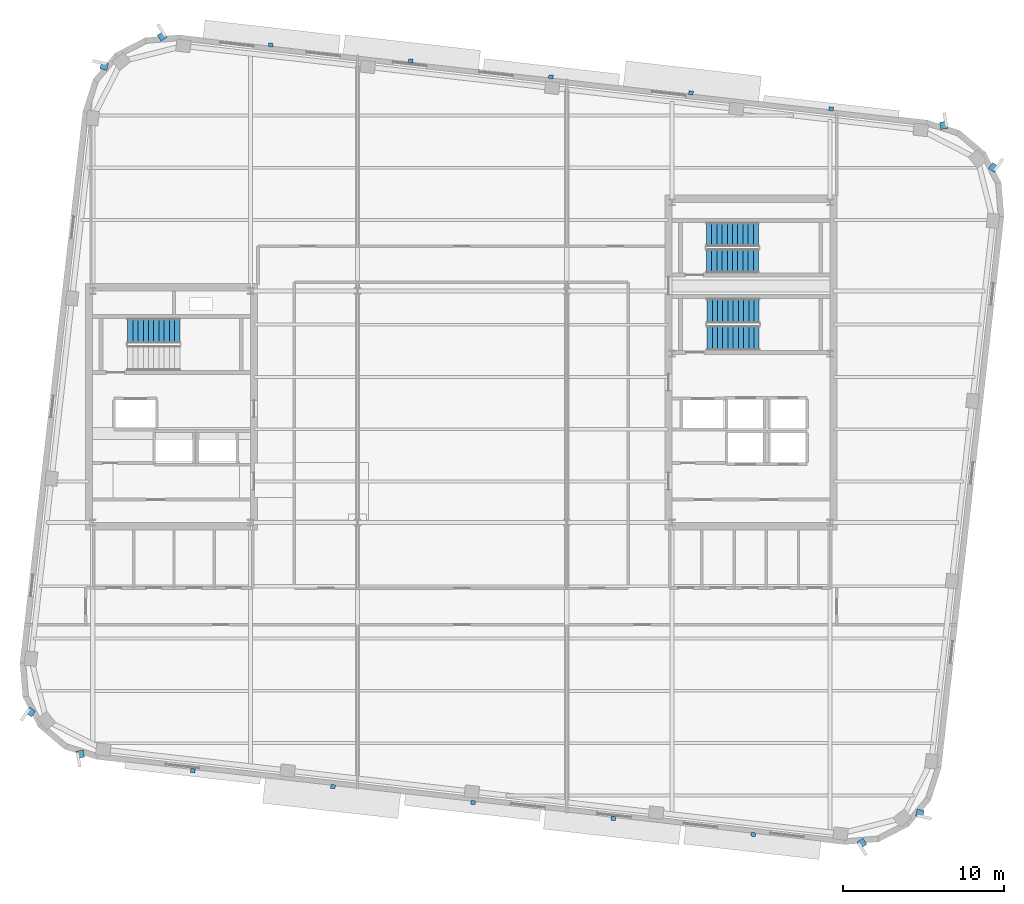
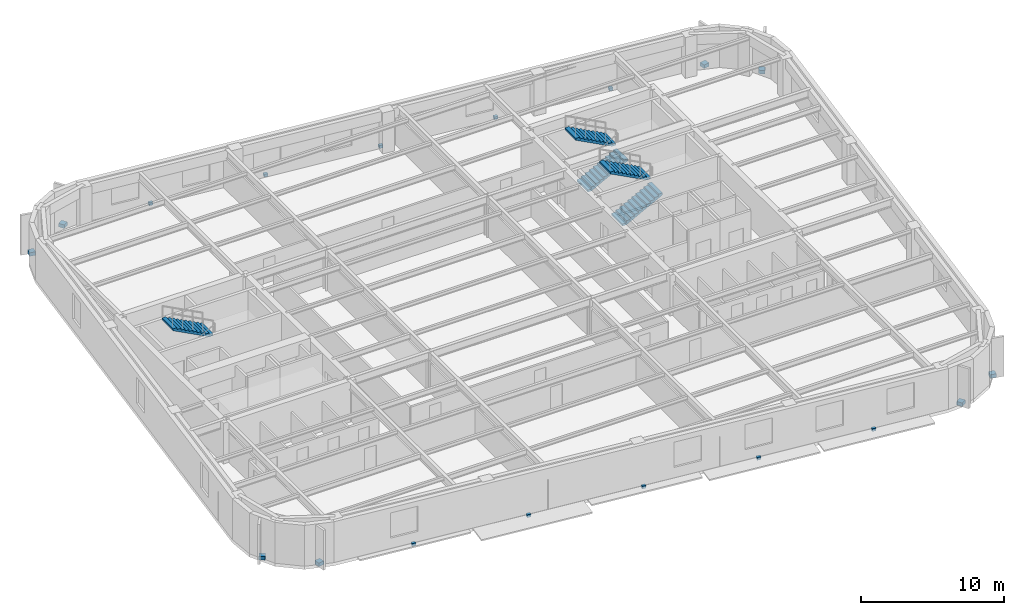
# One storey, part 9 of 14: 18 discrete accessories, 5 stair flights, 3 elements without a shape of their own.
"""IFC4 building model written with IfcOpenShell, lengths in metres."""

from ifc_helpers import new_model, si_unit, direction, frame, origin, origin_2d, place, context, subcontext, project, spatial, polyline, rectangle, outline, extrude, material, type_object, element, aggregate, save


model = new_model("IFC4")

# Units and contexts
model_context = context("Model", 3, precision=1e-05, world=origin(), true_north=direction((0.0, 1.0)))
body_context = subcontext(model_context, "Body", "Model", "MODEL_VIEW")
ifc_project = project(units=[si_unit("LENGTHUNIT", "METRE"), si_unit("AREAUNIT", "SQUARE_METRE"), si_unit("VOLUMEUNIT", "CUBIC_METRE"), si_unit("PLANEANGLEUNIT", "RADIAN"), si_unit("MASSUNIT", "GRAM", prefix="KILO")], contexts=[model_context])

# Site, building, storey
site_placement = place(None, origin())
site = spatial("IfcSite", under=ifc_project, at=site_placement, CompositionType="ELEMENT")
building_placement = place(site_placement, origin())
building = spatial("IfcBuilding", under=site, at=building_placement, Name="Kolvaren Arena Tower", CompositionType="ELEMENT")
storey_placement = place(building_placement, frame((0.0, 0.0, 235.949951171875)))
storey = spatial("IfcBuildingStorey", under=building, at=storey_placement, Name="L57", CompositionType="ELEMENT", Elevation=235.949951171875)

# Stair, stair flights
ifc_material_1 = material(Name="Concrete 45 MPa", Category="concrete")
stair_type_1 = type_object("IfcStairType", Name="STAIR-CORE-150", PredefinedType="HALF_TURN_STAIR", material=ifc_material_1)
stair_1_placement = place(storey_placement, origin())
stair_1 = element("IfcStair", 1, at=stair_1_placement, inside=storey, type_object=stair_type_1, Name="L57 ST-E2", PredefinedType="HALF_TURN_STAIR")
stair_flight_type_1 = type_object("IfcStairFlightType", Name="FLT-150", PredefinedType="STRAIGHT", material=ifc_material_1)
stair_flight_1_placement = place(storey_placement, frame((52.679931640625, 35.699951171875, 0.0), z_axis=(0.0, 0.0, 1.0), x_axis=(1.0, 0.0, 0.0)))
stair_flight_1 = element("IfcStairFlight", 2, at=stair_flight_1_placement, type_object=stair_flight_type_1, Name="ST-E2 flight 1", NumberOfRisers=11, NumberOfTreads=10, PredefinedType="STRAIGHT", RiserHeight=0.170454545, TreadLength=0.324, context=body_context, shape_type="SweptSolid", body=[
    extrude(outline(polyline([(0.0, 0.0), (0.0, 0.17041015625), (0.323974609375, 0.17041015625), (0.323974609375, 0.3408203125), (0.64794921875, 0.3408203125), (0.64794921875, 0.511474609375), (0.971923828125, 0.511474609375), (0.971923828125, 0.681884765625), (1.2958984375, 0.681884765625), (1.2958984375, 0.852294921875), (1.6201171875, 0.852294921875), (1.6201171875, 1.022705078125), (1.944091796875, 1.022705078125), (1.944091796875, 1.193115234375), (2.26806640625, 1.193115234375), (2.26806640625, 1.363525390625), (2.592041015625, 1.363525390625), (2.592041015625, 1.5341796875), (2.916015625, 1.5341796875), (2.916015625, 1.70458984375), (3.239990234375, 1.70458984375), (3.239990234375, 1.875), (3.239990234375, 1.53515625), (0.322021484375, 0.0), (0.0, 0.0)])), frame((0.0, 0.75, 0.0), z_axis=(0.0, -1.0, 0.0), x_axis=(1.0, 0.0, 0.0)), (0.0, 0.0, 1.0), 1.5),
])
stair_flight_2_placement = place(storey_placement, frame((55.919921875, 37.35009765625, 1.875), z_axis=(0.0, 0.0, 1.0), x_axis=(-1.0, 0.0, 0.0)))
stair_flight_2 = element("IfcStairFlight", 3, at=stair_flight_2_placement, type_object=stair_flight_type_1, Name="ST-E2 flight 2", NumberOfRisers=11, NumberOfTreads=10, PredefinedType="STRAIGHT", RiserHeight=0.170454545, TreadLength=0.324, context=body_context, shape_type="SweptSolid", body=[
    extrude(outline(polyline([(0.0, 0.0), (0.0, 0.17041015625), (0.323974609375, 0.17041015625), (0.323974609375, 0.3408203125), (0.64794921875, 0.3408203125), (0.64794921875, 0.511474609375), (0.971923828125, 0.511474609375), (0.971923828125, 0.681884765625), (1.2958984375, 0.681884765625), (1.2958984375, 0.852294921875), (1.6201171875, 0.852294921875), (1.6201171875, 1.022705078125), (1.944091796875, 1.022705078125), (1.944091796875, 1.193115234375), (2.26806640625, 1.193115234375), (2.26806640625, 1.363525390625), (2.592041015625, 1.363525390625), (2.592041015625, 1.5341796875), (2.916015625, 1.5341796875), (2.916015625, 1.70458984375), (3.239990234375, 1.70458984375), (3.239990234375, 1.875), (3.239990234375, 1.53515625), (0.322021484375, 0.0), (0.0, 0.0)])), frame((0.0, 0.75, 0.0), z_axis=(0.0, -1.0, 0.0), x_axis=(1.0, 0.0, 0.0)), (0.0, 0.0, 1.0), 1.5),
])
aggregate(stair_1, [stair_flight_1, stair_flight_2])

# Stair, stair flight
stair_type_2 = type_object("IfcStairType", Name="STAIR-CORE-165", PredefinedType="HALF_TURN_STAIR", material=ifc_material_1)
stair_2_placement = place(storey_placement, origin())
stair_2 = element("IfcStair", 4, at=stair_2_placement, inside=storey, type_object=stair_type_2, Name="L57 ST-W1", PredefinedType="HALF_TURN_STAIR")
stair_flight_type_2 = type_object("IfcStairFlightType", Name="FLT-165", PredefinedType="STRAIGHT", material=ifc_material_1)
stair_flight_3_placement = place(storey_placement, frame((19.9599609375, 31.360107421875, 1.875), z_axis=(0.0, 0.0, 1.0), x_axis=(-1.0, 0.0, 0.0)))
stair_flight_3 = element("IfcStairFlight", 5, at=stair_flight_3_placement, type_object=stair_flight_type_2, Name="ST-W1 flight 2", NumberOfRisers=11, NumberOfTreads=10, PredefinedType="STRAIGHT", RiserHeight=0.170454545, TreadLength=0.324, context=body_context, shape_type="SweptSolid", body=[
    extrude(outline(polyline([(0.0, 0.0), (0.0, 0.17041015625), (0.323974609375, 0.17041015625), (0.323974609375, 0.3408203125), (0.64794921875, 0.3408203125), (0.64794921875, 0.511474609375), (0.971923828125, 0.511474609375), (0.971923828125, 0.681884765625), (1.2958984375, 0.681884765625), (1.2958984375, 0.852294921875), (1.6201171875, 0.852294921875), (1.6201171875, 1.022705078125), (1.944091796875, 1.022705078125), (1.944091796875, 1.193115234375), (2.26806640625, 1.193115234375), (2.26806640625, 1.363525390625), (2.592041015625, 1.363525390625), (2.592041015625, 1.5341796875), (2.916015625, 1.5341796875), (2.916015625, 1.70458984375), (3.239990234375, 1.70458984375), (3.239990234375, 1.875), (3.239990234375, 1.53515625), (0.322021484375, 0.0), (0.0, 0.0)])), frame((0.0, 0.77001953125, 0.0), z_axis=(0.0, -1.0, 0.0), x_axis=(1.0, 0.0, 0.0)), (0.0, 0.0, 1.0), 1.5400390625),
])
aggregate(stair_2, [stair_flight_3])

# Stair, stair flights
stair_3_placement = place(storey_placement, origin())
stair_3 = element("IfcStair", 6, at=stair_3_placement, inside=storey, type_object=stair_type_2, Name="L57 ST-E1", PredefinedType="HALF_TURN_STAIR")
stair_flight_4_placement = place(storey_placement, frame((52.719970703125, 30.919921875, 0.0), z_axis=(0.0, 0.0, 1.0), x_axis=(1.0, 0.0, 0.0)))
stair_flight_4 = element("IfcStairFlight", 7, at=stair_flight_4_placement, type_object=stair_flight_type_2, Name="ST-E1 flight 1", NumberOfRisers=11, NumberOfTreads=10, PredefinedType="STRAIGHT", RiserHeight=0.170454545, TreadLength=0.324, context=body_context, shape_type="SweptSolid", body=[
    extrude(outline(polyline([(0.0, 0.0), (0.0, 0.17041015625), (0.323974609375, 0.17041015625), (0.323974609375, 0.3408203125), (0.64794921875, 0.3408203125), (0.64794921875, 0.511474609375), (0.971923828125, 0.511474609375), (0.971923828125, 0.681884765625), (1.2958984375, 0.681884765625), (1.2958984375, 0.852294921875), (1.6201171875, 0.852294921875), (1.6201171875, 1.022705078125), (1.944091796875, 1.022705078125), (1.944091796875, 1.193115234375), (2.26806640625, 1.193115234375), (2.26806640625, 1.363525390625), (2.592041015625, 1.363525390625), (2.592041015625, 1.5341796875), (2.916015625, 1.5341796875), (2.916015625, 1.70458984375), (3.239990234375, 1.70458984375), (3.239990234375, 1.875), (3.239990234375, 1.53515625), (0.322021484375, 0.0), (0.0, 0.0)])), frame((0.0, 0.77001953125, 0.0), z_axis=(0.0, -1.0, 0.0), x_axis=(1.0, 0.0, 0.0)), (0.0, 0.0, 1.0), 1.5400390625),
])
stair_flight_5_placement = place(storey_placement, frame((55.9599609375, 32.610107421875, 1.875), z_axis=(0.0, 0.0, 1.0), x_axis=(-1.0, 0.0, 0.0)))
stair_flight_5 = element("IfcStairFlight", 8, at=stair_flight_5_placement, type_object=stair_flight_type_2, Name="ST-E1 flight 2", NumberOfRisers=11, NumberOfTreads=10, PredefinedType="STRAIGHT", RiserHeight=0.170454545, TreadLength=0.324, context=body_context, shape_type="SweptSolid", body=[
    extrude(outline(polyline([(0.0, 0.0), (0.0, 0.17041015625), (0.323974609375, 0.17041015625), (0.323974609375, 0.3408203125), (0.64794921875, 0.3408203125), (0.64794921875, 0.511474609375), (0.971923828125, 0.511474609375), (0.971923828125, 0.681884765625), (1.2958984375, 0.681884765625), (1.2958984375, 0.852294921875), (1.6201171875, 0.852294921875), (1.6201171875, 1.022705078125), (1.944091796875, 1.022705078125), (1.944091796875, 1.193115234375), (2.26806640625, 1.193115234375), (2.26806640625, 1.363525390625), (2.592041015625, 1.363525390625), (2.592041015625, 1.5341796875), (2.916015625, 1.5341796875), (2.916015625, 1.70458984375), (3.239990234375, 1.70458984375), (3.239990234375, 1.875), (3.239990234375, 1.53515625), (0.322021484375, 0.0), (0.0, 0.0)])), frame((0.0, 0.77001953125, 0.0), z_axis=(0.0, -1.0, 0.0), x_axis=(1.0, 0.0, 0.0)), (0.0, 0.0, 1.0), 1.5400390625),
])
aggregate(stair_3, [stair_flight_4, stair_flight_5])

# Discrete accessories
ifc_material_2 = material(Name="Stainless steel facade support bracket", Category="steel")
discrete_accessory_type = type_object("IfcDiscreteAccessoryType", Name="ACC-BRKT-1", PredefinedType="BRACKET", material=ifc_material_2)
for number, where, z_axis, x_axis, name in (
    (9, (62.33544921875, -0.46630859375, 0.02001953125), (0.0, 0.0, 1.0), (0.540981810797, -0.84103429204, 0.0), "Corner Fin Anchor Bracket (L57)"),
    (10, (65.939208984375, 1.389892578125, 0.02001953125), (0.0, 0.0, 1.0), (0.977234439221, -0.21216232182, 0.0), "Corner Fin Anchor Bracket (L57)"),
    (11, (70.5107421875, 41.51513671875, 0.02001953125), (0.0, 0.0, 1.0), (0.569965213199, 0.821668823641, 0.0), "Corner Fin Anchor Bracket (L57)"),
    (12, (67.4169921875, 44.13427734375, 0.02001953125), (0.0, 0.0, 1.0), (-0.177965872603, 0.984036659982, 0.0), "Corner Fin Anchor Bracket (L57)"),
):
    element("IfcDiscreteAccessory", number, at=place(storey_placement, frame(where, z_axis=z_axis, x_axis=x_axis)), inside=storey, type_object=discrete_accessory_type, Name=name, PredefinedType="BRACKET", context=body_context, shape_type="SweptSolid", body=[
        extrude(rectangle(XDim=0.449951171875, YDim=0.449951171875, at=origin_2d()), origin(), (0.0, 0.0, 1.0), 0.300048828125),
    ])
for number, where, z_axis, x_axis, name in (
    (13, (25.60986328125, 49.12451171875, -0.18017578125), (0.0, 0.0, 1.0), (0.993571658098, -0.113204947878, 0.0), "Sunshade Support Bracket (L57)"),
    (14, (34.313720703125, 48.1328125, -0.18017578125), (0.0, 0.0, 1.0), (0.993571658098, -0.113204947878, 0.0), "Sunshade Support Bracket (L57)"),
    (15, (43.017333984375, 47.141357421875, -0.18017578125), (0.0, 0.0, 1.0), (0.993571658098, -0.113204947878, 0.0), "Sunshade Support Bracket (L57)"),
    (16, (51.720947265625, 46.149658203125, -0.18017578125), (0.0, 0.0, 1.0), (0.993571658098, -0.113204947878, 0.0), "Sunshade Support Bracket (L57)"),
    (17, (60.424560546875, 45.157958984375, -0.18017578125), (0.0, 0.0, 1.0), (0.993571658098, -0.113204947878, 0.0), "Sunshade Support Bracket (L57)"),
):
    element("IfcDiscreteAccessory", number, at=place(storey_placement, frame(where, z_axis=z_axis, x_axis=x_axis)), inside=storey, type_object=discrete_accessory_type, Name=name, PredefinedType="BRACKET", context=body_context, shape_type="SweptSolid", body=[
        extrude(rectangle(XDim=0.280029296875, YDim=0.239990234375, at=origin_2d()), origin(), (0.0, 0.0, 1.0), 0.239990234375),
    ])
for number, where, z_axis, x_axis, name in (
    (18, (18.864501953125, 49.666259765625, 0.02001953125), (0.0, 0.0, 1.0), (-0.540981810797, 0.84103429204, 0.0), "Corner Fin Anchor Bracket (L57)"),
    (19, (15.260986328125, 47.81005859375, 0.02001953125), (0.0, 0.0, 1.0), (-0.977234439221, 0.21216232182, 0.0), "Corner Fin Anchor Bracket (L57)"),
    (20, (10.689208984375, 7.684814453125, 0.02001953125), (0.0, 0.0, 1.0), (-0.569965213199, -0.821668823641, 0.0), "Corner Fin Anchor Bracket (L57)"),
    (21, (13.782958984375, 5.065673828125, 0.02001953125), (0.0, 0.0, 1.0), (0.177965872603, -0.984036659982, 0.0), "Corner Fin Anchor Bracket (L57)"),
):
    element("IfcDiscreteAccessory", number, at=place(storey_placement, frame(where, z_axis=z_axis, x_axis=x_axis)), inside=storey, type_object=discrete_accessory_type, Name=name, PredefinedType="BRACKET", context=body_context, shape_type="SweptSolid", body=[
        extrude(rectangle(XDim=0.449951171875, YDim=0.449951171875, at=origin_2d()), origin(), (0.0, 0.0, 1.0), 0.300048828125),
    ])
for number, where, z_axis, x_axis, name in (
    (22, (55.590087890625, 0.075439453125, -0.18017578125), (0.0, 0.0, 1.0), (-0.993571658098, 0.113204947878, 0.0), "Sunshade Support Bracket (L57)"),
    (23, (46.886474609375, 1.067138671875, -0.18017578125), (0.0, 0.0, 1.0), (-0.993571658098, 0.113204947878, 0.0), "Sunshade Support Bracket (L57)"),
    (24, (38.1826171875, 2.05859375, -0.18017578125), (0.0, 0.0, 1.0), (-0.993571658098, 0.113204947878, 0.0), "Sunshade Support Bracket (L57)"),
    (25, (29.47900390625, 3.05029296875, -0.18017578125), (0.0, 0.0, 1.0), (-0.993571658098, 0.113204947878, 0.0), "Sunshade Support Bracket (L57)"),
    (26, (20.775390625, 4.0419921875, -0.18017578125), (0.0, 0.0, 1.0), (-0.993571658098, 0.113204947878, 0.0), "Sunshade Support Bracket (L57)"),
):
    element("IfcDiscreteAccessory", number, at=place(storey_placement, frame(where, z_axis=z_axis, x_axis=x_axis)), inside=storey, type_object=discrete_accessory_type, Name=name, PredefinedType="BRACKET", context=body_context, shape_type="SweptSolid", body=[
        extrude(rectangle(XDim=0.280029296875, YDim=0.239990234375, at=origin_2d()), origin(), (0.0, 0.0, 1.0), 0.239990234375),
    ])

save(model, "model.ifc")
